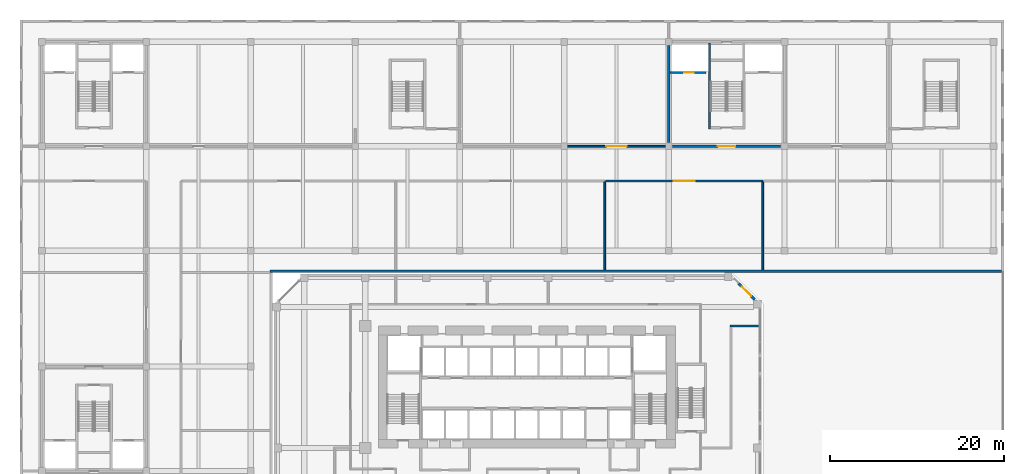
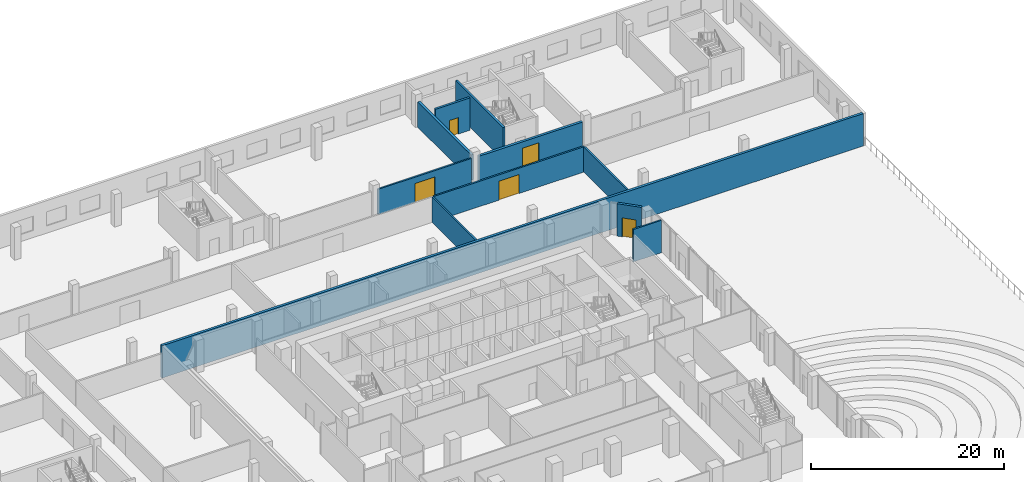
# One storey, part 29 of 38: 11 walls, 5 doors, 5 openings.
"""IFC4 building model written with IfcOpenShell, lengths in metres."""

import ifcopenshell
import ifcopenshell.guid

model = None  # the IFC model being written
_history = None  # IfcOwnerHistory: only IFC2X3 demands one
_inside = {}  # id of a spatial element -> (the spatial element, [elements in it])
_under = {}  # id of a project, library or spatial element -> (it, [spatial elements below it])
_declared = {}  # id of a project -> (the project, [libraries it declares])
_typed = {}  # id of a type object -> (the type object, [elements of that type])
_made_of = {}  # id of a material, layer set ... -> (it, [elements and type objects made of it])


def new_model(schema):
    """Start an empty IFC model of exactly this schema.

    Asked for "IFC4X3", IfcOpenShell would pick the latest addendum, in which some entities
    have other attributes; the version numbers below select the first issue.
    IFC2X3 requires an IfcOwnerHistory on every rooted entity: one is made here for all.
    """
    global model, _history
    if schema == "IFC4X3":
        model = ifcopenshell.file(schema_version=(4, 3, 0, 0))
    else:
        model = ifcopenshell.file(schema=schema)
    _inside.clear()
    _under.clear()
    _declared.clear()
    _typed.clear()
    _made_of.clear()
    _history = None
    if model.schema == "IFC2X3":
        org = make("IfcOrganization", Name="unknown")
        user = make(
            "IfcPersonAndOrganization",
            ThePerson=make("IfcPerson", FamilyName="unknown"),
            TheOrganization=org,
        )
        app = make(
            "IfcApplication",
            ApplicationDeveloper=org,
            Version="unknown",
            ApplicationFullName="unknown",
            ApplicationIdentifier="unknown",
        )
        _history = make(
            "IfcOwnerHistory",
            OwningUser=user,
            OwningApplication=app,
            ChangeAction="ADDED",
            CreationDate=0,
        )
    return model


def make(cls, **values):
    """One entity of the class cls with the attributes given. An attribute that is None is left unset."""
    return model.create_entity(
        cls, **{name: value for name, value in values.items() if value is not None}
    )


def rooted(cls, **values):
    """An entity with a GlobalId (a new one), such as an element, a storey or a relation."""
    return make(cls, GlobalId=ifcopenshell.guid.new(), OwnerHistory=_history, **values)


def si_unit(unit_type, name, prefix=None):
    """IfcSIUnit, for example si_unit("LENGTHUNIT", "METRE", prefix="MILLI")."""
    return make("IfcSIUnit", UnitType=unit_type, Prefix=prefix, Name=name)


def assignment(units):
    """IfcUnitAssignment: the units of a project."""
    return None if units is None else make("IfcUnitAssignment", Units=units)


def point(xyz):
    """IfcCartesianPoint."""
    return None if xyz is None else make("IfcCartesianPoint", Coordinates=xyz)


def direction(xyz):
    """IfcDirection."""
    return None if xyz is None else make("IfcDirection", DirectionRatios=xyz)


def frame(location, z_axis=None, x_axis=None):
    """IfcAxis2Placement3D, a coordinate frame: its origin and axes. An axis left out is left unset."""
    return make(
        "IfcAxis2Placement3D",
        Location=point(location),
        Axis=direction(z_axis),
        RefDirection=direction(x_axis),
    )


def frame_2d(location, x_axis=None):
    """IfcAxis2Placement2D, a coordinate frame in the plane: its origin and x axis."""
    return make(
        "IfcAxis2Placement2D", Location=point(location), RefDirection=direction(x_axis)
    )


def origin():
    """The frame at (0, 0, 0) with its axes left unset."""
    return frame((0.0, 0.0, 0.0))


def place(relative_to, where):
    """IfcLocalPlacement: puts the frame where relative to a parent placement (None: the world)."""
    return make(
        "IfcLocalPlacement", PlacementRelTo=relative_to, RelativePlacement=where
    )


def context(
    kind, dimensions, precision=None, world=None, true_north=None, identifier=None
):
    """IfcGeometricRepresentationContext, for example the 3D "Model" context."""
    return make(
        "IfcGeometricRepresentationContext",
        ContextIdentifier=identifier,
        ContextType=kind,
        CoordinateSpaceDimension=dimensions,
        Precision=precision,
        WorldCoordinateSystem=world,
        TrueNorth=true_north,
    )


def subcontext(parent, identifier, kind, view, scale=None):
    """IfcGeometricRepresentationSubContext, for example "Body" below "Model"."""
    return make(
        "IfcGeometricRepresentationSubContext",
        ContextIdentifier=identifier,
        ContextType=kind,
        ParentContext=parent,
        TargetScale=scale,
        TargetView=view,
    )


def project(units=None, contexts=None):
    """IfcProject with its units and contexts."""
    return rooted(
        "IfcProject",
        Name="project",
        RepresentationContexts=contexts,
        UnitsInContext=assignment(units),
    )


def spatial(cls, under=None, at=None, **own):
    """A site, building, storey or space (cls), placed at a placement, below another one or the project."""
    s = rooted(cls, ObjectPlacement=at, **own)
    if under is not None:
        _under.setdefault(under.id(), (under, []))[1].append(s)
    return s


def profile(cls, at=None, kind="AREA", **sizes):
    """A parametric profile (cls). Its sizes go by their IFC names, for example OverallWidth=200.0."""
    return make(cls, ProfileType=kind, Position=at, **sizes)


def rectangle(**sizes):
    """IfcRectangleProfileDef."""
    return profile("IfcRectangleProfileDef", **sizes)


def extrude(swept, where, along, depth):
    """IfcExtrudedAreaSolid: the profile swept, set in the frame where, extruded along a direction by depth."""
    return make(
        "IfcExtrudedAreaSolid",
        SweptArea=swept,
        Position=where,
        ExtrudedDirection=direction(along),
        Depth=depth,
    )


def shape(context_of_items, identifier, shape_type, items):
    """IfcShapeRepresentation: the items that make up one representation, for example the "Body"."""
    return make(
        "IfcShapeRepresentation",
        ContextOfItems=context_of_items,
        RepresentationIdentifier=identifier,
        RepresentationType=shape_type,
        Items=items,
    )


def source(mapping_origin, context_of_items, identifier, shape_type, items):
    """IfcRepresentationMap: a shape defined once, which mapped items show again and again."""
    return make(
        "IfcRepresentationMap",
        MappingOrigin=mapping_origin,
        MappedRepresentation=shape(context_of_items, identifier, shape_type, items),
    )


def transform(
    local_origin,
    x_axis=None,
    y_axis=None,
    z_axis=None,
    scale=None,
    scale2=None,
    scale3=None,
    uniform=True,
):
    """IfcCartesianTransformationOperator3D, or its non-uniform kind. x_axis, y_axis, z_axis: its Axis1, 2, 3."""
    if uniform:
        return make(
            "IfcCartesianTransformationOperator3D",
            Axis1=direction(x_axis),
            Axis2=direction(y_axis),
            LocalOrigin=point(local_origin),
            Scale=scale,
            Axis3=direction(z_axis),
        )
    return make(
        "IfcCartesianTransformationOperator3DnonUniform",
        Axis1=direction(x_axis),
        Axis2=direction(y_axis),
        LocalOrigin=point(local_origin),
        Scale=scale,
        Axis3=direction(z_axis),
        Scale2=scale2,
        Scale3=scale3,
    )


def mapped(mapping_source, mapping_target):
    """IfcMappedItem: shows the shape of a source again, moved by a transform."""
    return make(
        "IfcMappedItem", MappingSource=mapping_source, MappingTarget=mapping_target
    )


def material(Name=None, Category=None):
    """IfcMaterial."""
    return make("IfcMaterial", Name=Name, Category=Category)


def layer(
    of_material, thickness, ventilated=None, Name=None, Category=None, Priority=None
):
    """IfcMaterialLayer: one layer of a wall or slab, of a material (None: an air gap)."""
    return make(
        "IfcMaterialLayer",
        Material=of_material,
        LayerThickness=thickness,
        IsVentilated=ventilated,
        Name=Name,
        Category=Category,
        Priority=Priority,
    )


def layer_set(layers, Name=None):
    """IfcMaterialLayerSet."""
    return make("IfcMaterialLayerSet", MaterialLayers=layers, LayerSetName=Name)


def made_of(thing, what):
    """Note that an element or type object is made of a material, layer set ...; save() writes the relation."""
    if what is not None:
        _made_of.setdefault(what.id(), (what, []))[1].append(thing)
    return thing


def type_object(cls, material=None, **own):
    """A type object (cls), such as IfcWallType, which elements share."""
    return made_of(rooted(cls, **own), material)


def element(
    cls,
    number,
    at=None,
    inside=None,
    cuts=None,
    type_object=None,
    material=None,
    context=None,
    identifier="Body",
    shape_type=None,
    held_by="IfcProductDefinitionShape",
    body=None,
    shapes=None,
    **own,
):
    """One element of the class cls, such as IfcWall. Its Tag is "e" and its number.

    at: its placement. inside: the storey or other place that contains it. cuts: it is an
    opening in that element (IfcRelVoidsElement). A single representation is given by context,
    identifier, shape_type and body (its items); several are given by shapes. held_by: the class
    of the entity that holds the representations. save() writes the other relations.
    """
    e = rooted(cls, Tag="e%d" % number, ObjectPlacement=at, **own)
    if body is not None:
        shapes = [shape(context, identifier, shape_type, body)]
    if shapes is not None:
        e.Representation = make(held_by, Representations=shapes)
    if inside is not None:
        _inside.setdefault(inside.id(), (inside, []))[1].append(e)
    if cuts is not None:
        rooted(
            "IfcRelVoidsElement", RelatingBuildingElement=cuts, RelatedOpeningElement=e
        )
    if type_object is not None:
        _typed.setdefault(type_object.id(), (type_object, []))[1].append(e)
    return made_of(e, material)


def fill(opening, filler):
    """IfcRelFillsElement: the door or window that sits in an opening."""
    return rooted(
        "IfcRelFillsElement",
        RelatingOpeningElement=opening,
        RelatedBuildingElement=filler,
    )


def aggregate(whole, parts):
    """IfcRelAggregates: a whole, such as a stair, and the parts it consists of."""
    return rooted("IfcRelAggregates", RelatingObject=whole, RelatedObjects=parts)


def save(model, path):
    """Write the relations noted so far, then the file.

    IfcRelAggregates (storeys below a building ...), IfcRelContainedInSpatialStructure (elements
    in a storey), IfcRelDefinesByType, IfcRelAssociatesMaterial and IfcRelDeclares: one each for
    every whole, place, type object, material and project.
    """
    for whole, parts in _under.values():
        aggregate(whole, parts)
    for where, things in _inside.values():
        rooted(
            "IfcRelContainedInSpatialStructure",
            RelatedElements=things,
            RelatingStructure=where,
        )
    for kind, things in _typed.values():
        rooted("IfcRelDefinesByType", RelatedObjects=things, RelatingType=kind)
    for what, things in _made_of.values():
        rooted("IfcRelAssociatesMaterial", RelatedObjects=things, RelatingMaterial=what)
    for by, libraries in _declared.values():
        rooted("IfcRelDeclares", RelatingContext=by, RelatedDefinitions=libraries)
    model.write(path)


model = new_model("IFC4")

# Units and contexts
model_context = context("Model", 3, precision=1e-05, world=origin(), true_north=direction((0.0, 1.0)))
body_context = subcontext(model_context, "Body", "Model", "MODEL_VIEW")
ifc_project = project(units=[si_unit("LENGTHUNIT", "METRE"), si_unit("AREAUNIT", "SQUARE_METRE"), si_unit("VOLUMEUNIT", "CUBIC_METRE"), si_unit("PLANEANGLEUNIT", "RADIAN"), si_unit("MASSUNIT", "GRAM", prefix="KILO")], contexts=[model_context])

# Site, building, storey
site_placement = place(None, origin())
site = spatial("IfcSite", under=ifc_project, at=site_placement, CompositionType="ELEMENT")
building_placement = place(site_placement, origin())
building = spatial("IfcBuilding", under=site, at=building_placement, Name="Kilnfold Tower and Market Hall", CompositionType="ELEMENT")
storey_placement = place(building_placement, frame((0.0, 0.0, 9.0)))
storey = spatial("IfcBuildingStorey", under=building, at=storey_placement, Name="L01", CompositionType="ELEMENT", Elevation=9.0)

# Walls
ifc_material_1 = material(Name="Gypsum board on steel studs", Category="steel")
ifc_layer_1 = layer(ifc_material_1, 0.199951171875)
ifc_layer_set_1 = layer_set([ifc_layer_1], Name="Gypsum board on steel studs")
wall_type_1 = type_object("IfcWallType", Name="WALL PARTY 200", PredefinedType="PARTITIONING", material=ifc_layer_set_1)
wall_1_placement = place(storey_placement, frame((24.39990234375, 22.0, 0.0), z_axis=(0.0, 0.0, 1.0), x_axis=(1.0, 0.0, 0.0)))
element("IfcWall", 1, at=wall_1_placement, inside=storey, type_object=wall_type_1, Name="Partition LY02.58", PredefinedType="PARTITIONING", context=body_context, shape_type="SweptSolid", body=[
    extrude(rectangle(XDim=3.35009765625, YDim=0.199951171875, at=frame_2d((1.675048828125, 0.0))), origin(), (0.0, 0.0, 1.0), 4.10009765625),
])
ifc_material_2 = material(Name="Concrete C50/60", Category="concrete")
ifc_layer_2 = layer(ifc_material_2, 0.300048828125)
ifc_layer_set_2 = layer_set([ifc_layer_2], Name="Concrete C50/60")
wall_type_2 = type_object("IfcWallType", Name="HALL CORE WALL 300", PredefinedType="SHEAR", material=ifc_layer_set_2)
shared_shape_1 = source(origin(), body_context, "Body", "SweptSolid", [
    extrude(rectangle(XDim=11.099853515625, YDim=0.300048828125, at=frame_2d((5.5498046875, 0.0))), origin(), (0.0, 0.0, 1.0), 3.199951171875),
])
wall_2_placement = place(storey_placement, frame((17.35009765625, 54.199951171875, 0.0), z_axis=(0.0, 0.0, 1.0), x_axis=(0.0, -1.0, 0.0)))
element("IfcWall", 2, at=wall_2_placement, inside=storey, type_object=wall_type_2, Name="Core wall MH3", PredefinedType="SHEAR", context=body_context, shape_type="MappedRepresentation", body=[
    mapped(shared_shape_1, transform((0.0, 0.0, 0.0))),
])
ifc_material_3 = material(Name="Concrete C50/60", Category="concrete")
ifc_layer_3 = layer(ifc_material_3, 0.25)
ifc_layer_set_3 = layer_set([ifc_layer_3], Name="Concrete C50/60")
wall_type_3 = type_object("IfcWallType", Name="HALL CORE WALL 250", PredefinedType="SHEAR", material=ifc_layer_set_3)
shared_shape_2 = source(origin(), body_context, "Body", "SweptSolid", [
    extrude(rectangle(XDim=9.85009765625, YDim=0.25, at=frame_2d((4.925048828125, 0.0))), origin(), (0.0, 0.0, 1.0), 4.10009765625),
])
wall_3_placement = place(storey_placement, frame((22.02490234375, 54.5, 0.0), z_axis=(0.0, 0.0, 1.0), x_axis=(0.0, -1.0, 0.0)))
element("IfcWall", 3, at=wall_3_placement, inside=storey, type_object=wall_type_3, Name="Core wall MH3", PredefinedType="SHEAR", context=body_context, shape_type="MappedRepresentation", body=[
    mapped(shared_shape_2, transform((0.0, 0.0, 0.0))),
])

# Wall, opening, door
shared_shape_3 = source(origin(), body_context, "Body", "SweptSolid", [
    extrude(rectangle(XDim=12.39990234375, YDim=0.300048828125, at=frame_2d((6.199951171875, 0.0))), origin(), (0.0, 0.0, 1.0), 3.199951171875),
])
wall_4_placement = place(storey_placement, frame((30.199951171875, 42.64990234375, 0.0), z_axis=(0.0, 0.0, 1.0), x_axis=(-1.0, 0.0, 0.0)))
wall_4 = element("IfcWall", 4, at=wall_4_placement, inside=storey, type_object=wall_type_2, Name="Core wall MH3", PredefinedType="SHEAR", context=body_context, shape_type="MappedRepresentation", body=[
    mapped(shared_shape_3, transform((0.0, 0.0, 0.0))),
])
opening_1_placement = place(wall_4_placement, frame((5.199951171875, 0.0, 0.0)))
opening_1 = element("IfcOpeningElement", 5, at=opening_1_placement, cuts=wall_4, Name="Opening MD10-60", PredefinedType="OPENING", context=body_context, shape_type="SweptSolid", body=[
    extrude(rectangle(XDim=2.0, YDim=2.39990234375, at=frame_2d((1.0, 1.199951171875))), frame((0.0, 0.16015625, 0.0), z_axis=(0.0, -1.0, 0.0), x_axis=(1.0, 0.0, 0.0)), (0.0, 0.0, 1.0), 0.320068359375),
])
ifc_material_4 = material(Name="Aluminium glazing", Category="aluminium")
door_type_1 = type_object("IfcDoorType", Name="HALL DOOR LOBBY 2000X2400 FD60", OperationType="NOTDEFINED", PredefinedType="DOOR", material=ifc_material_4)
door_1_placement = place(opening_1_placement, origin())
door_1 = element("IfcDoor", 6, at=door_1_placement, inside=storey, type_object=door_type_1, Name="Door MD10-60", OperationType="DOUBLE_DOOR_SINGLE_SWING", OverallHeight=2.39990234375, OverallWidth=2.0, PredefinedType="DOOR", context=body_context, shape_type="SweptSolid", body=[
    extrude(rectangle(XDim=2.0, YDim=2.39990234375, at=frame_2d((1.0, 1.199951171875))), frame((0.0, 0.02490234375, 0.0), z_axis=(0.0, -1.0, 0.0), x_axis=(1.0, 0.0, 0.0)), (0.0, 0.0, 1.0), 0.050048828125),
])
fill(opening_1, door_1)

shared_shape_4 = source(origin(), body_context, "Body", "SweptSolid", [
    extrude(rectangle(XDim=4.14990234375, YDim=0.25, at=frame_2d((2.074951171875, 0.0))), origin(), (0.0, 0.0, 1.0), 4.10009765625),
])
wall_5_placement = place(storey_placement, frame((21.64990234375, 51.125, 0.0), z_axis=(0.0, 0.0, 1.0), x_axis=(-1.0, 0.0, 0.0)))
wall_5 = element("IfcWall", 7, at=wall_5_placement, inside=storey, type_object=wall_type_3, Name="Core wall MH3", PredefinedType="SHEAR", context=body_context, shape_type="MappedRepresentation", body=[
    mapped(shared_shape_4, transform((0.0, 0.0, 0.0))),
])
opening_2_placement = place(wall_5_placement, frame((1.39990234375, 0.0, 0.0)))
opening_2 = element("IfcOpeningElement", 8, at=opening_2_placement, cuts=wall_5, Name="Opening LD", PredefinedType="OPENING", context=body_context, shape_type="SweptSolid", body=[
    extrude(rectangle(XDim=1.10009765625, YDim=2.10009765625, at=frame_2d((0.550048828125, 1.050048828125))), frame((0.0, 0.135009765625, 0.0), z_axis=(0.0, -1.0, 0.0), x_axis=(1.0, 0.0, 0.0)), (0.0, 0.0, 1.0), 0.27001953125),
])
ifc_material_5 = material(Name="Steel S355", Category="steel")
door_type_2 = type_object("IfcDoorType", Name="HALL LANDING DOOR 1100X2100 FD60", OperationType="NOTDEFINED", PredefinedType="DOOR", material=ifc_material_5)
door_2_placement = place(opening_2_placement, origin())
door_2 = element("IfcDoor", 9, at=door_2_placement, inside=storey, type_object=door_type_2, Name="Door LD", OperationType="SLIDING_TO_LEFT", OverallHeight=2.10009765625, OverallWidth=1.10009765625, PredefinedType="DOOR", context=body_context, shape_type="SweptSolid", body=[
    extrude(rectangle(XDim=1.10009765625, YDim=2.10009765625, at=frame_2d((0.550048828125, 1.050048828125))), frame((0.0, 0.02490234375, 0.0), z_axis=(0.0, -1.0, 0.0), x_axis=(1.0, 0.0, 0.0)), (0.0, 0.0, 1.0), 0.050048828125),
])
fill(opening_2, door_2)

ifc_material_6 = material(Name="Precast concrete C50/60", Category="concrete")
ifc_layer_4 = layer(ifc_material_6, 0.300048828125)
ifc_layer_set_4 = layer_set([ifc_layer_4], Name="Precast concrete C50/60")
wall_type_4 = type_object("IfcWallType", Name="PRECAST WALL 300", PredefinedType="SOLIDWALL", material=ifc_layer_set_4)
shared_shape_5 = source(origin(), body_context, "Body", "SweptSolid", [
    extrude(rectangle(XDim=2.60009765625, YDim=0.300048828125, at=frame_2d((1.300048828125, 0.0))), origin(), (0.0, 0.0, 1.0), 4.10009765625),
])
wall_6_placement = place(storey_placement, frame((27.218994140625, 25.06884765625, 0.0), z_axis=(0.0, 0.0, 1.0), x_axis=(-0.707059830104, 0.707153729152, 0.0)))
wall_6 = element("IfcWall", 10, at=wall_6_placement, inside=storey, type_object=wall_type_4, Name="Deck door wall L01 NE", PredefinedType="SOLIDWALL", context=body_context, shape_type="MappedRepresentation", body=[
    mapped(shared_shape_5, transform((0.0, 0.0, 0.0))),
])
opening_3_placement = place(wall_6_placement, frame((0.550048828125, 0.0, 0.0)))
opening_3 = element("IfcOpeningElement", 11, at=opening_3_placement, cuts=wall_6, Name="Opening DD1", PredefinedType="OPENING", context=body_context, shape_type="SweptSolid", body=[
    extrude(rectangle(XDim=1.5, YDim=2.39990234375, at=frame_2d((0.75, 1.199951171875))), frame((0.0, 0.16015625, 0.0), z_axis=(0.0, -1.0, 0.0), x_axis=(1.0, 0.0, 0.0)), (0.0, 0.0, 1.0), 0.320068359375),
])
ifc_material_7 = material(Name="Aluminium frame and toughened glass", Category="aluminium")
door_type_3 = type_object("IfcDoorType", Name="DECK DOOR 1500X2400", OperationType="NOTDEFINED", PredefinedType="DOOR", material=ifc_material_7)
door_3_placement = place(opening_3_placement, origin())
door_3 = element("IfcDoor", 12, at=door_3_placement, inside=storey, type_object=door_type_3, Name="Garden deck door DD1 L01 NE-1", OperationType="DOUBLE_DOOR_SINGLE_SWING", OverallHeight=2.39990234375, OverallWidth=1.5, PredefinedType="DOOR", context=body_context, shape_type="SweptSolid", body=[
    extrude(rectangle(XDim=1.5, YDim=2.39990234375, at=frame_2d((0.75, 1.199951171875))), frame((0.0, 0.02490234375, 0.0), z_axis=(0.0, -1.0, 0.0), x_axis=(1.0, 0.0, 0.0)), (0.0, 0.0, 1.0), 0.050048828125),
])
fill(opening_3, door_3)

# Wall
ifc_material_8 = material(Name="Concrete blockwork", Category="masonry")
ifc_layer_5 = layer(ifc_material_8, 0.300048828125)
ifc_layer_set_5 = layer_set([ifc_layer_5], Name="Concrete blockwork")
wall_type_5 = type_object("IfcWallType", Name="HALL EXTERNAL WALL 300 EI 120", PredefinedType="SOLIDWALL", material=ifc_layer_set_5)
shared_shape_6 = source(origin(), body_context, "Body", "SweptSolid", [
    extrude(rectangle(XDim=84.0, YDim=0.300048828125, at=frame_2d((42.0, 0.0))), origin(), (0.0, 0.0, 1.0), 4.10009765625),
])
wall_7_placement = place(storey_placement, frame((55.550048828125, 28.300048828125, 0.0), z_axis=(0.0, 0.0, 1.0), x_axis=(-1.0, 0.0, 0.0)))
element("IfcWall", 13, at=wall_7_placement, inside=storey, type_object=wall_type_5, Name="Joint wall MEW-L01.4", PredefinedType="SOLIDWALL", context=body_context, shape_type="MappedRepresentation", body=[
    mapped(shared_shape_6, transform((0.0, 0.0, 0.0))),
])

# Wall, opening, door
ifc_material_9 = material(Name="Concrete blockwork", Category="masonry")
ifc_layer_6 = layer(ifc_material_9, 0.199951171875)
ifc_layer_set_6 = layer_set([ifc_layer_6], Name="Concrete blockwork")
wall_type_6 = type_object("IfcWallType", Name="HALL PARTITION 200 EI 60", PredefinedType="PARTITIONING", material=ifc_layer_set_6)
shared_shape_7 = source(origin(), body_context, "Body", "SweptSolid", [
    extrude(rectangle(XDim=11.199951171875, YDim=0.199951171875, at=frame_2d((5.60009765625, 0.0))), origin(), (0.0, 0.0, 1.0), 3.199951171875),
])
wall_8_placement = place(storey_placement, frame((5.75, 42.64990234375, 0.0), z_axis=(0.0, 0.0, 1.0), x_axis=(1.0, 0.0, 0.0)))
wall_8 = element("IfcWall", 14, at=wall_8_placement, inside=storey, type_object=wall_type_6, Name="Partition W-MH-L01.41", PredefinedType="PARTITIONING", context=body_context, shape_type="MappedRepresentation", body=[
    mapped(shared_shape_7, transform((0.0, 0.0, 0.0))),
])
opening_4_placement = place(wall_8_placement, frame((4.39990234375, 0.0, 0.0)))
opening_4 = element("IfcOpeningElement", 15, at=opening_4_placement, cuts=wall_8, Name="Opening MD7-60", PredefinedType="OPENING", context=body_context, shape_type="SweptSolid", body=[
    extrude(rectangle(XDim=2.39990234375, YDim=2.39990234375, at=frame_2d((1.199951171875, 1.199951171875))), frame((0.0, 0.10986328125, 0.0), z_axis=(0.0, -1.0, 0.0), x_axis=(1.0, 0.0, 0.0)), (0.0, 0.0, 1.0), 0.219970703125),
])
ifc_material_10 = material(Name="Aluminium glazing", Category="aluminium")
door_type_4 = type_object("IfcDoorType", Name="HALL DOOR HALL 2400X2400 FD60", OperationType="NOTDEFINED", PredefinedType="DOOR", material=ifc_material_10)
door_4_placement = place(opening_4_placement, origin())
door_4 = element("IfcDoor", 16, at=door_4_placement, inside=storey, type_object=door_type_4, Name="Door MD7-60", OperationType="DOUBLE_DOOR_SINGLE_SWING", OverallHeight=2.39990234375, OverallWidth=2.39990234375, PredefinedType="DOOR", context=body_context, shape_type="SweptSolid", body=[
    extrude(rectangle(XDim=2.39990234375, YDim=2.39990234375, at=frame_2d((1.199951171875, 1.199951171875))), frame((0.0, 0.02490234375, 0.0), z_axis=(0.0, -1.0, 0.0), x_axis=(1.0, 0.0, 0.0)), (0.0, 0.0, 1.0), 0.050048828125),
])
fill(opening_4, door_4)

# Walls
shared_shape_8 = source(origin(), body_context, "Body", "SweptSolid", [
    extrude(rectangle(XDim=10.10009765625, YDim=0.199951171875, at=frame_2d((5.050048828125, 0.0))), origin(), (0.0, 0.0, 1.0), 3.199951171875),
])
for number, where, z_axis, x_axis, name in (
    (17, (10.0, 38.550048828125, 0.0), (0.0, 0.0, 1.0), (0.0, -1.0, 0.0), "Partition W-MH-L01.43"),
    (18, (28.14990234375, 38.550048828125, 0.0), (0.0, 0.0, 1.0), (0.0, -1.0, 0.0), "Partition W-MH-L01.46"),
):
    element("IfcWall", number, at=place(storey_placement, frame(where, z_axis=z_axis, x_axis=x_axis)), inside=storey, type_object=wall_type_6, Name=name, PredefinedType="PARTITIONING", context=body_context, shape_type="MappedRepresentation", body=[
        mapped(shared_shape_8, transform((0.0, 0.0, 0.0))),
    ])

# Wall, opening, door
shared_shape_9 = source(origin(), body_context, "Body", "SweptSolid", [
    extrude(rectangle(XDim=18.0498046875, YDim=0.199951171875, at=frame_2d((9.02490234375, 0.0))), origin(), (0.0, 0.0, 1.0), 3.199951171875),
])
wall_9_placement = place(storey_placement, frame((28.14990234375, 38.64990234375, 0.0), z_axis=(0.0, 0.0, 1.0), x_axis=(-1.0, 0.0, 0.0)))
wall_9 = element("IfcWall", 19, at=wall_9_placement, inside=storey, type_object=wall_type_6, Name="Partition W-MH-L01.45", PredefinedType="PARTITIONING", context=body_context, shape_type="MappedRepresentation", body=[
    mapped(shared_shape_9, transform((0.0, 0.0, 0.0))),
])
opening_5_placement = place(wall_9_placement, frame((7.824951171875, 0.0, 0.0)))
opening_5 = element("IfcOpeningElement", 20, at=opening_5_placement, cuts=wall_9, Name="Opening MD7-60", PredefinedType="OPENING", context=body_context, shape_type="SweptSolid", body=[
    extrude(rectangle(XDim=2.39990234375, YDim=2.39990234375, at=frame_2d((1.199951171875, 1.199951171875))), frame((0.0, 0.10986328125, 0.0), z_axis=(0.0, -1.0, 0.0), x_axis=(1.0, 0.0, 0.0)), (0.0, 0.0, 1.0), 0.219970703125),
])
door_5_placement = place(opening_5_placement, origin())
door_5 = element("IfcDoor", 21, at=door_5_placement, inside=storey, type_object=door_type_4, Name="Door MD7-60", OperationType="DOUBLE_DOOR_SINGLE_SWING", OverallHeight=2.39990234375, OverallWidth=2.39990234375, PredefinedType="DOOR", context=body_context, shape_type="SweptSolid", body=[
    extrude(rectangle(XDim=2.39990234375, YDim=2.39990234375, at=frame_2d((1.199951171875, 1.199951171875))), frame((0.0, 0.02490234375, 0.0), z_axis=(0.0, -1.0, 0.0), x_axis=(1.0, 0.0, 0.0)), (0.0, 0.0, 1.0), 0.050048828125),
])
fill(opening_5, door_5)

save(model, "model.ifc")
